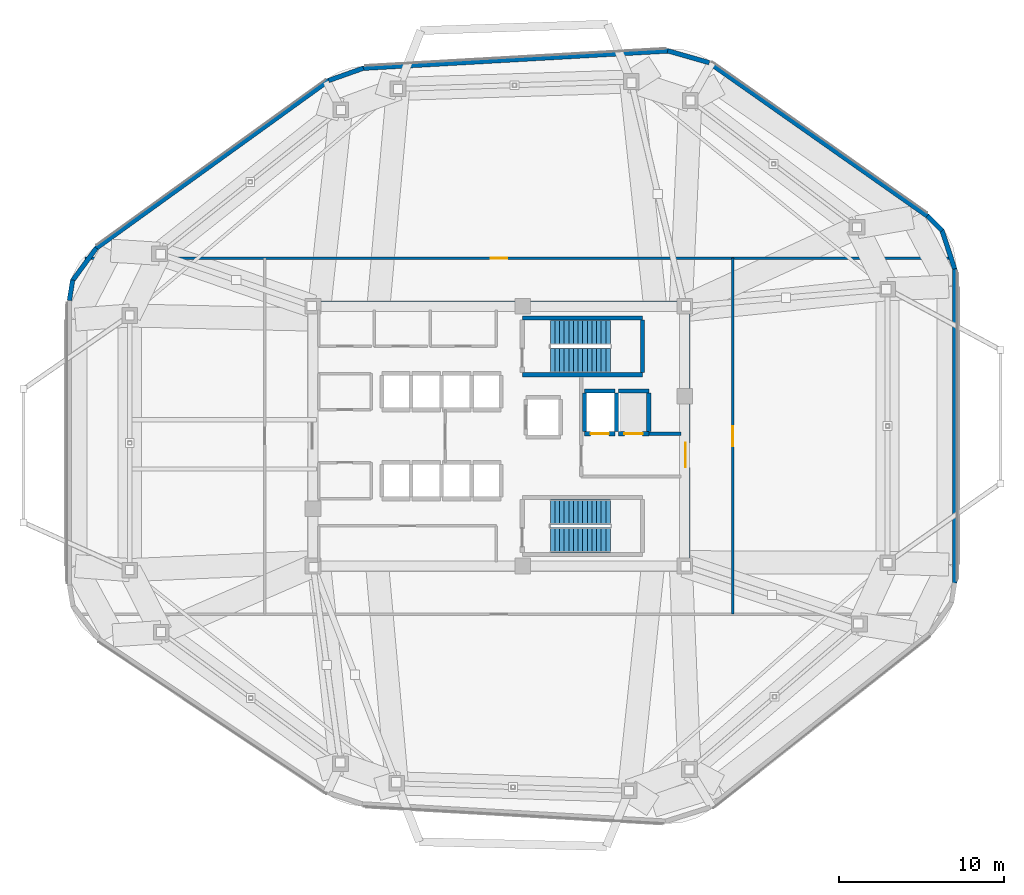
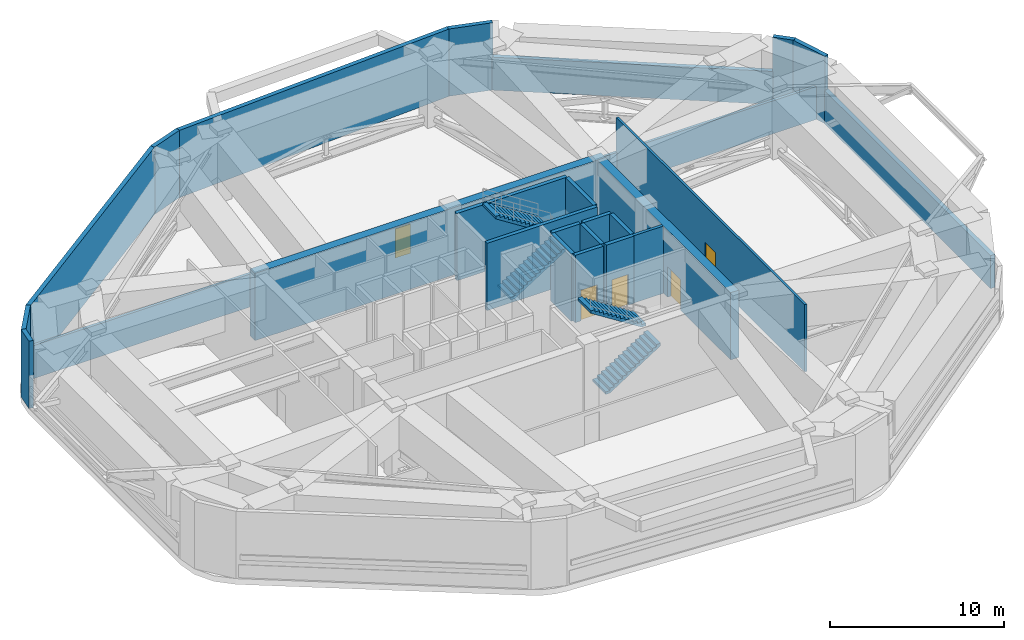
# One storey, part 9 of 13: 25 walls, 5 doors, 4 stair flights, 5 openings, 2 elements without a shape of their own.
"""IFC4 building model written with IfcOpenShell, lengths in metres."""

import ifcopenshell
import ifcopenshell.guid

model = None  # the IFC model being written
_history = None  # IfcOwnerHistory: only IFC2X3 demands one
_inside = {}  # id of a spatial element -> (the spatial element, [elements in it])
_under = {}  # id of a project, library or spatial element -> (it, [spatial elements below it])
_declared = {}  # id of a project -> (the project, [libraries it declares])
_typed = {}  # id of a type object -> (the type object, [elements of that type])
_made_of = {}  # id of a material, layer set ... -> (it, [elements and type objects made of it])


def new_model(schema):
    """Start an empty IFC model of exactly this schema.

    Asked for "IFC4X3", IfcOpenShell would pick the latest addendum, in which some entities
    have other attributes; the version numbers below select the first issue.
    IFC2X3 requires an IfcOwnerHistory on every rooted entity: one is made here for all.
    """
    global model, _history
    if schema == "IFC4X3":
        model = ifcopenshell.file(schema_version=(4, 3, 0, 0))
    else:
        model = ifcopenshell.file(schema=schema)
    _inside.clear()
    _under.clear()
    _declared.clear()
    _typed.clear()
    _made_of.clear()
    _history = None
    if model.schema == "IFC2X3":
        org = make("IfcOrganization", Name="unknown")
        user = make(
            "IfcPersonAndOrganization",
            ThePerson=make("IfcPerson", FamilyName="unknown"),
            TheOrganization=org,
        )
        app = make(
            "IfcApplication",
            ApplicationDeveloper=org,
            Version="unknown",
            ApplicationFullName="unknown",
            ApplicationIdentifier="unknown",
        )
        _history = make(
            "IfcOwnerHistory",
            OwningUser=user,
            OwningApplication=app,
            ChangeAction="ADDED",
            CreationDate=0,
        )
    return model


def make(cls, **values):
    """One entity of the class cls with the attributes given. An attribute that is None is left unset."""
    return model.create_entity(
        cls, **{name: value for name, value in values.items() if value is not None}
    )


def rooted(cls, **values):
    """An entity with a GlobalId (a new one), such as an element, a storey or a relation."""
    return make(cls, GlobalId=ifcopenshell.guid.new(), OwnerHistory=_history, **values)


def si_unit(unit_type, name, prefix=None):
    """IfcSIUnit, for example si_unit("LENGTHUNIT", "METRE", prefix="MILLI")."""
    return make("IfcSIUnit", UnitType=unit_type, Prefix=prefix, Name=name)


def assignment(units):
    """IfcUnitAssignment: the units of a project."""
    return None if units is None else make("IfcUnitAssignment", Units=units)


def point(xyz):
    """IfcCartesianPoint."""
    return None if xyz is None else make("IfcCartesianPoint", Coordinates=xyz)


def direction(xyz):
    """IfcDirection."""
    return None if xyz is None else make("IfcDirection", DirectionRatios=xyz)


def frame(location, z_axis=None, x_axis=None):
    """IfcAxis2Placement3D, a coordinate frame: its origin and axes. An axis left out is left unset."""
    return make(
        "IfcAxis2Placement3D",
        Location=point(location),
        Axis=direction(z_axis),
        RefDirection=direction(x_axis),
    )


def frame_2d(location, x_axis=None):
    """IfcAxis2Placement2D, a coordinate frame in the plane: its origin and x axis."""
    return make(
        "IfcAxis2Placement2D", Location=point(location), RefDirection=direction(x_axis)
    )


def origin():
    """The frame at (0, 0, 0) with its axes left unset."""
    return frame((0.0, 0.0, 0.0))


def place(relative_to, where):
    """IfcLocalPlacement: puts the frame where relative to a parent placement (None: the world)."""
    return make(
        "IfcLocalPlacement", PlacementRelTo=relative_to, RelativePlacement=where
    )


def context(
    kind, dimensions, precision=None, world=None, true_north=None, identifier=None
):
    """IfcGeometricRepresentationContext, for example the 3D "Model" context."""
    return make(
        "IfcGeometricRepresentationContext",
        ContextIdentifier=identifier,
        ContextType=kind,
        CoordinateSpaceDimension=dimensions,
        Precision=precision,
        WorldCoordinateSystem=world,
        TrueNorth=true_north,
    )


def subcontext(parent, identifier, kind, view, scale=None):
    """IfcGeometricRepresentationSubContext, for example "Body" below "Model"."""
    return make(
        "IfcGeometricRepresentationSubContext",
        ContextIdentifier=identifier,
        ContextType=kind,
        ParentContext=parent,
        TargetScale=scale,
        TargetView=view,
    )


def project(units=None, contexts=None):
    """IfcProject with its units and contexts."""
    return rooted(
        "IfcProject",
        Name="project",
        RepresentationContexts=contexts,
        UnitsInContext=assignment(units),
    )


def spatial(cls, under=None, at=None, **own):
    """A site, building, storey or space (cls), placed at a placement, below another one or the project."""
    s = rooted(cls, ObjectPlacement=at, **own)
    if under is not None:
        _under.setdefault(under.id(), (under, []))[1].append(s)
    return s


def polyline(points):
    """IfcPolyline through the points."""
    return make("IfcPolyline", Points=[point(p) for p in points])


def profile(cls, at=None, kind="AREA", **sizes):
    """A parametric profile (cls). Its sizes go by their IFC names, for example OverallWidth=200.0."""
    return make(cls, ProfileType=kind, Position=at, **sizes)


def rectangle(**sizes):
    """IfcRectangleProfileDef."""
    return profile("IfcRectangleProfileDef", **sizes)


def outline(outer, holes=None, kind="AREA"):
    """IfcArbitraryClosedProfileDef: a profile drawn as a closed curve; with holes, ...WithVoids."""
    if holes is None:
        return make("IfcArbitraryClosedProfileDef", ProfileType=kind, OuterCurve=outer)
    return make(
        "IfcArbitraryProfileDefWithVoids",
        ProfileType=kind,
        OuterCurve=outer,
        InnerCurves=holes,
    )


def extrude(swept, where, along, depth):
    """IfcExtrudedAreaSolid: the profile swept, set in the frame where, extruded along a direction by depth."""
    return make(
        "IfcExtrudedAreaSolid",
        SweptArea=swept,
        Position=where,
        ExtrudedDirection=direction(along),
        Depth=depth,
    )


def shape(context_of_items, identifier, shape_type, items):
    """IfcShapeRepresentation: the items that make up one representation, for example the "Body"."""
    return make(
        "IfcShapeRepresentation",
        ContextOfItems=context_of_items,
        RepresentationIdentifier=identifier,
        RepresentationType=shape_type,
        Items=items,
    )


def material(Name=None, Category=None):
    """IfcMaterial."""
    return make("IfcMaterial", Name=Name, Category=Category)


def layer(
    of_material, thickness, ventilated=None, Name=None, Category=None, Priority=None
):
    """IfcMaterialLayer: one layer of a wall or slab, of a material (None: an air gap)."""
    return make(
        "IfcMaterialLayer",
        Material=of_material,
        LayerThickness=thickness,
        IsVentilated=ventilated,
        Name=Name,
        Category=Category,
        Priority=Priority,
    )


def layer_set(layers, Name=None):
    """IfcMaterialLayerSet."""
    return make("IfcMaterialLayerSet", MaterialLayers=layers, LayerSetName=Name)


def made_of(thing, what):
    """Note that an element or type object is made of a material, layer set ...; save() writes the relation."""
    if what is not None:
        _made_of.setdefault(what.id(), (what, []))[1].append(thing)
    return thing


def type_object(cls, material=None, **own):
    """A type object (cls), such as IfcWallType, which elements share."""
    return made_of(rooted(cls, **own), material)


def element(
    cls,
    number,
    at=None,
    inside=None,
    cuts=None,
    type_object=None,
    material=None,
    context=None,
    identifier="Body",
    shape_type=None,
    held_by="IfcProductDefinitionShape",
    body=None,
    shapes=None,
    **own,
):
    """One element of the class cls, such as IfcWall. Its Tag is "e" and its number.

    at: its placement. inside: the storey or other place that contains it. cuts: it is an
    opening in that element (IfcRelVoidsElement). A single representation is given by context,
    identifier, shape_type and body (its items); several are given by shapes. held_by: the class
    of the entity that holds the representations. save() writes the other relations.
    """
    e = rooted(cls, Tag="e%d" % number, ObjectPlacement=at, **own)
    if body is not None:
        shapes = [shape(context, identifier, shape_type, body)]
    if shapes is not None:
        e.Representation = make(held_by, Representations=shapes)
    if inside is not None:
        _inside.setdefault(inside.id(), (inside, []))[1].append(e)
    if cuts is not None:
        rooted(
            "IfcRelVoidsElement", RelatingBuildingElement=cuts, RelatedOpeningElement=e
        )
    if type_object is not None:
        _typed.setdefault(type_object.id(), (type_object, []))[1].append(e)
    return made_of(e, material)


def fill(opening, filler):
    """IfcRelFillsElement: the door or window that sits in an opening."""
    return rooted(
        "IfcRelFillsElement",
        RelatingOpeningElement=opening,
        RelatedBuildingElement=filler,
    )


def aggregate(whole, parts):
    """IfcRelAggregates: a whole, such as a stair, and the parts it consists of."""
    return rooted("IfcRelAggregates", RelatingObject=whole, RelatedObjects=parts)


def save(model, path):
    """Write the relations noted so far, then the file.

    IfcRelAggregates (storeys below a building ...), IfcRelContainedInSpatialStructure (elements
    in a storey), IfcRelDefinesByType, IfcRelAssociatesMaterial and IfcRelDeclares: one each for
    every whole, place, type object, material and project.
    """
    for whole, parts in _under.values():
        aggregate(whole, parts)
    for where, things in _inside.values():
        rooted(
            "IfcRelContainedInSpatialStructure",
            RelatedElements=things,
            RelatingStructure=where,
        )
    for kind, things in _typed.values():
        rooted("IfcRelDefinesByType", RelatedObjects=things, RelatingType=kind)
    for what, things in _made_of.values():
        rooted("IfcRelAssociatesMaterial", RelatedObjects=things, RelatingMaterial=what)
    for by, libraries in _declared.values():
        rooted("IfcRelDeclares", RelatingContext=by, RelatedDefinitions=libraries)
    model.write(path)


model = new_model("IFC4")

# Units and contexts
model_context = context("Model", 3, precision=1e-05, world=origin(), true_north=direction((0.0, 1.0)))
body_context = subcontext(model_context, "Body", "Model", "MODEL_VIEW")
ifc_project = project(units=[si_unit("LENGTHUNIT", "METRE"), si_unit("AREAUNIT", "SQUARE_METRE"), si_unit("VOLUMEUNIT", "CUBIC_METRE"), si_unit("PLANEANGLEUNIT", "RADIAN"), si_unit("MASSUNIT", "GRAM", prefix="KILO")], contexts=[model_context])

# Site, building, storey
site_placement = place(None, origin())
site = spatial("IfcSite", under=ifc_project, at=site_placement, CompositionType="ELEMENT")
building_placement = place(site_placement, origin())
building = spatial("IfcBuilding", under=site, at=building_placement, Name="Zulverin Broadcast Headquarters", CompositionType="ELEMENT")
storey_placement = place(building_placement, frame((0.0, 0.0, 220.0)))
storey = spatial("IfcBuildingStorey", under=building, at=storey_placement, Name="L56", CompositionType="ELEMENT", Elevation=220.0)

# Wall
ifc_material_1 = material(Name="Concrete C60/75", Category="concrete")
ifc_layer_1 = layer(ifc_material_1, 0.550048828125, Name="Concrete C60/75", Category="concrete")
ifc_layer_set_1 = layer_set([ifc_layer_1], Name="Concrete C60/75")
wall_type_1 = type_object("IfcWallType", Name="WL-CORE-550", PredefinedType="SHEAR", material=ifc_layer_set_1)
wall_1_placement = place(storey_placement, frame((25.39990234375, 33.125, 0.0), z_axis=(0.0, 0.0, 1.0), x_axis=(1.0, 0.0, 0.0)))
element("IfcWall", 1, at=wall_1_placement, inside=storey, type_object=wall_type_1, Name="L56 Core North Shear Wall", PredefinedType="SHEAR", context=body_context, shape_type="SweptSolid", body=[
    extrude(rectangle(XDim=23.2001953125, YDim=0.550048828125, at=frame_2d((11.60009765625, 0.0))), origin(), (0.0, 0.0, 1.0), 4.7099609375),
])

# Wall, opening, door
wall_2_placement = place(storey_placement, frame((48.324951171875, 17.550048828125, 0.0), z_axis=(0.0, 0.0, 1.0), x_axis=(0.0, 1.0, 0.0)))
wall_2 = element("IfcWall", 2, at=wall_2_placement, inside=storey, type_object=wall_type_1, Name="L56 Core East Shear Wall", PredefinedType="SHEAR", context=body_context, shape_type="SweptSolid", body=[
    extrude(rectangle(XDim=15.300048828125, YDim=0.550048828125, at=frame_2d((7.64990234375, 0.0))), origin(), (0.0, 0.0, 1.0), 4.7099609375),
])
opening_1_placement = place(wall_2_placement, frame((5.75, 0.0, 0.0)))
opening_1 = element("IfcOpeningElement", 3, at=opening_1_placement, cuts=wall_2, Name="Opening D-L56-CE1", PredefinedType="OPENING", context=body_context, shape_type="SweptSolid", body=[
    extrude(rectangle(XDim=1.5, YDim=2.14990234375, at=frame_2d((0.75, 1.074951171875))), frame((0.0, 0.284912109375, 0.0), z_axis=(0.0, -1.0, 0.0), x_axis=(1.0, 0.0, 0.0)), (0.0, 0.0, 1.0), 0.570068359375),
])
ifc_material_2 = material(Name="Fire-rated glazed steel frame", Category="steel")
door_type_1 = type_object("IfcDoorType", Name="DR-COR-1500", OperationType="DOUBLE_DOOR_SINGLE_SWING", PredefinedType="DOOR", material=ifc_material_2)
door_1_placement = place(opening_1_placement, origin())
door_1 = element("IfcDoor", 4, at=door_1_placement, inside=storey, type_object=door_type_1, Name="L56 Firefighting Lobby East Corridor Door", OperationType="DOUBLE_DOOR_SINGLE_SWING", OverallHeight=2.14990234375, OverallWidth=1.5, PredefinedType="DOOR", context=body_context, shape_type="SweptSolid", body=[
    extrude(rectangle(XDim=1.5, YDim=2.14990234375, at=frame_2d((0.75, 1.074951171875))), frame((0.0, 0.02490234375, 0.0), z_axis=(0.0, -1.0, 0.0), x_axis=(1.0, 0.0, 0.0)), (0.0, 0.0, 1.0), 0.050048828125),
])
fill(opening_1, door_1)

# Walls
ifc_material_3 = material(Name="Insulated pale-metal clad concrete spandrel C40/50", Category="concrete")
ifc_layer_2 = layer(ifc_material_3, 0.280029296875, Name="Insulated pale-metal clad concrete spandrel C40/50", Category="concrete")
ifc_layer_set_2 = layer_set([ifc_layer_2], Name="Insulated pale-metal clad concrete spandrel C40/50")
wall_type_2 = type_object("IfcWallType", Name="WL-EXT-280", PredefinedType="STANDARD", material=ifc_layer_set_2)
wall_3_placement = place(storey_placement, frame((64.659912109375, 16.281005859375, 0.0), z_axis=(0.0, 0.0, 1.0), x_axis=(0.0, 1.0, 0.0)))
element("IfcWall", 5, at=wall_3_placement, inside=storey, type_object=wall_type_2, Name="L56 Pale-Metal Clad Spandrel Wall 3", PredefinedType="STANDARD", context=body_context, shape_type="SweptSolid", body=[
    extrude(rectangle(XDim=19.11279296875, YDim=0.280029296875, at=frame_2d((9.556396484375, 0.0))), origin(), (0.0, 0.0, 1.0), 2.31005859375),
])
wall_4_placement = place(storey_placement, frame((63.01904296875, 38.552001953125, 0.0), z_axis=(0.0, 0.0, 1.0), x_axis=(-0.818245985693, 0.574868251774, 0.0)))
element("IfcWall", 6, at=wall_4_placement, inside=storey, type_object=wall_type_2, Name="L56 Pale-Metal Clad Spandrel Wall 4", PredefinedType="STANDARD", context=body_context, shape_type="SweptSolid", body=[
    extrude(rectangle(XDim=16.23681640625, YDim=0.280029296875, at=frame_2d((8.118408203125, 0.0))), origin(), (0.0, 0.0, 1.0), 2.31005859375),
])
wall_5_placement = place(storey_placement, frame((47.29541015625, 48.581298828125, 0.0), z_axis=(0.0, 0.0, 1.0), x_axis=(-0.998388180282, -0.056754219867, 0.0)))
element("IfcWall", 7, at=wall_5_placement, inside=storey, type_object=wall_type_2, Name="L56 Pale-Metal Clad Spandrel Wall 5", PredefinedType="STANDARD", context=body_context, shape_type="SweptSolid", body=[
    extrude(rectangle(XDim=18.58349609375, YDim=0.280029296875, at=frame_2d((9.291748046875, 0.0))), origin(), (0.0, 0.0, 1.0), 4.7099609375),
])
wall_6_placement = place(storey_placement, frame((26.702880859375, 46.80322265625, 0.0), z_axis=(0.0, 0.0, 1.0), x_axis=(-0.811009447916, -0.585033054956, 0.0)))
element("IfcWall", 8, at=wall_6_placement, inside=storey, type_object=wall_type_2, Name="L56 Pale-Metal Clad Spandrel Wall 6", PredefinedType="STANDARD", context=body_context, shape_type="SweptSolid", body=[
    extrude(rectangle(XDim=17.461181640625, YDim=0.280029296875, at=frame_2d((8.73046875, 0.0))), origin(), (0.0, 0.0, 1.0), 4.7099609375),
])
wall_7_placement = place(storey_placement, frame((64.6669921875, 35.349609375, 0.0), z_axis=(0.0, 0.0, 1.0), x_axis=(-0.313953102685, 0.949438491591, 0.0)))
element("IfcWall", 9, at=wall_7_placement, inside=storey, type_object=wall_type_2, Name="L56 Wind-Shaped Corner Spandrel Wall 3-1", PredefinedType="STANDARD", context=body_context, shape_type="SweptSolid", body=[
    extrude(rectangle(XDim=2.512451171875, YDim=0.280029296875, at=frame_2d((1.25634765625, 0.0))), origin(), (0.0, 0.0, 1.0), 4.7099609375),
])
wall_8_placement = place(storey_placement, frame((63.913330078125, 37.6787109375, 0.0), z_axis=(0.0, 0.0, 1.0), x_axis=(-0.716445950439, 0.697642601981, 0.0)))
element("IfcWall", 10, at=wall_8_placement, inside=storey, type_object=wall_type_2, Name="L56 Wind-Shaped Corner Spandrel Wall 3-2", PredefinedType="STANDARD", context=body_context, shape_type="SweptSolid", body=[
    extrude(rectangle(XDim=1.2724609375, YDim=0.280029296875, at=frame_2d((0.63623046875, 0.0))), origin(), (0.0, 0.0, 1.0), 4.7099609375),
])
wall_9_placement = place(storey_placement, frame((49.775634765625, 47.865966796875, 0.0), z_axis=(0.0, 0.0, 1.0), x_axis=(-0.96166758475, 0.274217899565, 0.0)))
element("IfcWall", 11, at=wall_9_placement, inside=storey, type_object=wall_type_2, Name="L56 Wind-Shaped Corner Spandrel Wall 4-1", PredefinedType="STANDARD", context=body_context, shape_type="SweptSolid", body=[
    extrude(rectangle(XDim=2.62744140625, YDim=0.280029296875, at=frame_2d((1.313720703125, 0.0))), origin(), (0.0, 0.0, 1.0), 4.7099609375),
])
wall_10_placement = place(storey_placement, frame((28.78076171875, 47.534423828125, 0.0), z_axis=(0.0, 0.0, 1.0), x_axis=(-0.94246648564, -0.334300648286, 0.0)))
element("IfcWall", 12, at=wall_10_placement, inside=storey, type_object=wall_type_2, Name="L56 Wind-Shaped Corner Spandrel Wall 5-1", PredefinedType="STANDARD", context=body_context, shape_type="SweptSolid", body=[
    extrude(rectangle(XDim=2.241943359375, YDim=0.280029296875, at=frame_2d((1.12109375, 0.0))), origin(), (0.0, 0.0, 1.0), 4.7099609375),
])
wall_11_placement = place(storey_placement, frame((12.572998046875, 36.618896484375, 0.0), z_axis=(0.0, 0.0, 1.0), x_axis=(-0.589604441083, -0.807692146214, 0.0)))
element("IfcWall", 13, at=wall_11_placement, inside=storey, type_object=wall_type_2, Name="L56 Wind-Shaped Corner Spandrel Wall 6-1", PredefinedType="STANDARD", context=body_context, shape_type="SweptSolid", body=[
    extrude(rectangle(XDim=2.480712890625, YDim=0.280029296875, at=frame_2d((1.240234375, 0.0))), origin(), (0.0, 0.0, 1.0), 4.7099609375),
])
wall_12_placement = place(storey_placement, frame((11.135498046875, 34.67578125, 0.0), z_axis=(0.0, 0.0, 1.0), x_axis=(-0.157050421819, -0.987590585722, 0.0)))
element("IfcWall", 14, at=wall_12_placement, inside=storey, type_object=wall_type_2, Name="L56 Wind-Shaped Corner Spandrel Wall 6-2", PredefinedType="STANDARD", context=body_context, shape_type="SweptSolid", body=[
    extrude(rectangle(XDim=1.256103515625, YDim=0.280029296875, at=frame_2d((0.6279296875, 0.0))), origin(), (0.0, 0.0, 1.0), 4.7099609375),
])
ifc_material_4 = material(Name="Concrete C40/50", Category="concrete")
ifc_layer_3 = layer(ifc_material_4, 0.199951171875, Name="Concrete C40/50", Category="concrete")
ifc_layer_set_3 = layer_set([ifc_layer_3], Name="Concrete C40/50")
wall_type_3 = type_object("IfcWallType", Name="WL-FFL-200", PredefinedType="SOLIDWALL", material=ifc_layer_set_3)
wall_13_placement = place(storey_placement, frame((46.10009765625, 25.35009765625, 0.0), z_axis=(0.0, 0.0, 1.0), x_axis=(1.0, 0.0, 0.0)))
element("IfcWall", 15, at=wall_13_placement, inside=storey, type_object=wall_type_3, Name="L56 Firefighting Lift Lobby North Wall", PredefinedType="SOLIDWALL", context=body_context, shape_type="SweptSolid", body=[
    extrude(rectangle(XDim=1.949951171875, YDim=0.199951171875, at=frame_2d((0.97509765625, 0.0))), origin(), (0.0, 0.0, 1.0), 4.7099609375),
])

# Wall, opening, door
ifc_material_5 = material(Name="Fire-rated gypsum stud partition", Category="gypsum")
ifc_layer_4 = layer(ifc_material_5, 0.14990234375, Name="Fire-rated gypsum stud partition", Category="gypsum")
ifc_layer_set_4 = layer_set([ifc_layer_4], Name="Fire-rated gypsum stud partition")
wall_type_4 = type_object("IfcWallType", Name="WL-PART-150", PredefinedType="PARTITIONING", material=ifc_layer_set_4)
wall_14_placement = place(storey_placement, frame((51.199951171875, 14.39990234375, 0.0), z_axis=(0.0, 0.0, 1.0), x_axis=(0.0, 1.0, 0.0)))
wall_14 = element("IfcWall", 16, at=wall_14_placement, inside=storey, type_object=wall_type_4, Name="L56 Gallery Partition Wall CG-01", PredefinedType="PARTITIONING", context=body_context, shape_type="SweptSolid", body=[
    extrude(rectangle(XDim=21.60009765625, YDim=0.14990234375, at=frame_2d((10.800048828125, 0.0))), origin(), (0.0, 0.0, 1.0), 4.7099609375),
])
opening_2_placement = place(wall_14_placement, frame((10.199951171875, 0.0, 0.0)))
opening_2 = element("IfcOpeningElement", 17, at=opening_2_placement, cuts=wall_14, Name="Opening D-L56-REF", PredefinedType="OPENING", context=body_context, shape_type="SweptSolid", body=[
    extrude(rectangle(XDim=1.199951171875, YDim=2.14990234375, at=frame_2d((0.60009765625, 1.074951171875))), frame((0.0, 0.0849609375, 0.0), z_axis=(0.0, -1.0, 0.0), x_axis=(1.0, 0.0, 0.0)), (0.0, 0.0, 1.0), 0.169921875),
])
ifc_material_6 = material(Name="Fire-rated steel leaf and frame", Category="steel")
door_type_2 = type_object("IfcDoorType", Name="DR-FFL-1200", OperationType="SINGLE_SWING_RIGHT", PredefinedType="DOOR", material=ifc_material_6)
door_2_placement = place(opening_2_placement, origin())
door_2 = element("IfcDoor", 18, at=door_2_placement, inside=storey, type_object=door_type_2, Name="L56 Designated Fire Refuge Area Door", OperationType="SINGLE_SWING_RIGHT", OverallHeight=2.14990234375, OverallWidth=1.199951171875, PredefinedType="DOOR", context=body_context, shape_type="SweptSolid", body=[
    extrude(rectangle(XDim=1.199951171875, YDim=2.14990234375, at=frame_2d((0.60009765625, 1.074951171875))), frame((0.0, 0.02490234375, 0.0), z_axis=(0.0, -1.0, 0.0), x_axis=(1.0, 0.0, 0.0)), (0.0, 0.0, 1.0), 0.050048828125),
])
fill(opening_2, door_2)

ifc_material_7 = material(Name="Fire-rated acoustic stud wall", Category="gypsum")
ifc_layer_5 = layer(ifc_material_7, 0.175048828125, Name="Fire-rated acoustic stud wall", Category="gypsum")
ifc_layer_set_5 = layer_set([ifc_layer_5], Name="Fire-rated acoustic stud wall")
wall_type_5 = type_object("IfcWallType", Name="WL-PART-175", PredefinedType="PARTITIONING", material=ifc_layer_set_5)
wall_15_placement = place(storey_placement, frame((11.89453125, 36.0, 0.0), z_axis=(0.0, 0.0, 1.0), x_axis=(1.0, 0.0, 0.0)))
wall_15 = element("IfcWall", 19, at=wall_15_placement, inside=storey, type_object=wall_type_5, Name="L56 Gallery Partition Wall CG-04", PredefinedType="PARTITIONING", context=body_context, shape_type="SweptSolid", body=[
    extrude(rectangle(XDim=52.602783203125, YDim=0.175048828125, at=frame_2d((26.30126953125, 0.0))), origin(), (0.0, 0.0, 1.0), 2.31005859375),
])
opening_3_placement = place(wall_15_placement, frame((24.60546875, 0.0, 0.0)))
opening_3 = element("IfcOpeningElement", 20, at=opening_3_placement, cuts=wall_15, Name="Opening D-L56-AHU", PredefinedType="OPENING", context=body_context, shape_type="SweptSolid", body=[
    extrude(rectangle(XDim=1.0, YDim=2.0400390625, at=frame_2d((0.5, 1.02001953125))), frame((0.0, 0.097412109375, 0.0), z_axis=(0.0, -1.0, 0.0), x_axis=(1.0, 0.0, 0.0)), (0.0, 0.0, 1.0), 0.195068359375),
])
ifc_material_8 = material(Name="Fire-rated steel plant room leaf", Category="steel")
door_type_3 = type_object("IfcDoorType", Name="DR-PLT-2040", OperationType="SINGLE_SWING_LEFT", PredefinedType="DOOR", material=ifc_material_8)
door_3_placement = place(opening_3_placement, origin())
door_3 = element("IfcDoor", 21, at=door_3_placement, inside=storey, type_object=door_type_3, Name="L56 Air Handling & Smoke Control Plant Room Door", OperationType="SINGLE_SWING_LEFT", OverallHeight=2.0400390625, OverallWidth=1.0, PredefinedType="DOOR", context=body_context, shape_type="SweptSolid", body=[
    extrude(rectangle(XDim=1.0, YDim=2.0400390625, at=frame_2d((0.5, 1.02001953125))), frame((0.0, 0.02490234375, 0.0), z_axis=(0.0, -1.0, 0.0), x_axis=(1.0, 0.0, 0.0)), (0.0, 0.0, 1.0), 0.050048828125),
])
fill(opening_3, door_3)

# Walls
ifc_material_9 = material(Name="Concrete C50/60", Category="concrete")
ifc_layer_6 = layer(ifc_material_9, 0.25, Name="Concrete C50/60", Category="concrete")
ifc_layer_set_6 = layer_set([ifc_layer_6], Name="Concrete C50/60")
wall_type_6 = type_object("IfcWallType", Name="WL-SHAFT-250", PredefinedType="SHEAR", material=ifc_layer_set_6)
for number, where, z_axis, x_axis, name in (
    (22, (38.425048828125, 28.925048828125, 0.0), (0.0, 0.0, 1.0), (1.0, 0.0, 0.0), "L56 ST-1 Enclosure Wall S"),
    (23, (38.425048828125, 32.375, 0.0), (0.0, 0.0, 1.0), (1.0, 0.0, 0.0), "L56 ST-1 Enclosure Wall N"),
):
    element("IfcWall", number, at=place(storey_placement, frame(where, z_axis=z_axis, x_axis=x_axis)), inside=storey, type_object=wall_type_6, Name=name, PredefinedType="SHEAR", context=body_context, shape_type="SweptSolid", body=[
        extrude(rectangle(XDim=7.300048828125, YDim=0.25, at=frame_2d((3.64990234375, 0.0))), origin(), (0.0, 0.0, 1.0), 4.7099609375),
    ])
wall_16_placement = place(storey_placement, frame((45.72509765625, 29.050048828125, 0.0), z_axis=(0.0, 0.0, 1.0), x_axis=(0.0, 1.0, 0.0)))
element("IfcWall", 24, at=wall_16_placement, inside=storey, type_object=wall_type_6, Name="L56 ST-1 Enclosure Wall E", PredefinedType="SHEAR", context=body_context, shape_type="SweptSolid", body=[
    extrude(rectangle(XDim=3.199951171875, YDim=0.25, at=frame_2d((1.60009765625, 0.0))), origin(), (0.0, 0.0, 1.0), 4.7099609375),
])

# Wall, opening, door
wall_17_placement = place(storey_placement, frame((42.199951171875, 25.35009765625, 0.0), z_axis=(0.0, 0.0, 1.0), x_axis=(1.0, 0.0, 0.0)))
wall_17 = element("IfcWall", 25, at=wall_17_placement, inside=storey, type_object=wall_type_6, Name="L56 Lift FFL-1 Shaft Wall S", PredefinedType="SHEAR", context=body_context, shape_type="SweptSolid", body=[
    extrude(rectangle(XDim=1.85009765625, YDim=0.25, at=frame_2d((0.925048828125, 0.0))), origin(), (0.0, 0.0, 1.0), 4.7099609375),
])
opening_4_placement = place(wall_17_placement, frame((0.375, 0.0, 0.0)))
opening_4 = element("IfcOpeningElement", 26, at=opening_4_placement, cuts=wall_17, Name="Opening LD-FFL-1-L56", PredefinedType="OPENING", context=body_context, shape_type="SweptSolid", body=[
    extrude(rectangle(XDim=1.10009765625, YDim=2.14990234375, at=frame_2d((0.550048828125, 1.074951171875))), frame((0.0, 0.135009765625, 0.0), z_axis=(0.0, -1.0, 0.0), x_axis=(1.0, 0.0, 0.0)), (0.0, 0.0, 1.0), 0.27001953125),
])
ifc_material_10 = material(Name="Fire-rated stainless landing door", Category="steel")
door_type_4 = type_object("IfcDoorType", Name="LD-FFL-1100", OperationType="DOUBLE_DOOR_SLIDING", PredefinedType="DOOR", material=ifc_material_10)
door_4_placement = place(opening_4_placement, origin())
door_4 = element("IfcDoor", 27, at=door_4_placement, inside=storey, type_object=door_type_4, Name="L56 Lift FFL-1 Sliding Landing Door", OperationType="DOUBLE_DOOR_SLIDING", OverallHeight=2.14990234375, OverallWidth=1.10009765625, PredefinedType="DOOR", context=body_context, shape_type="SweptSolid", body=[
    extrude(rectangle(XDim=1.10009765625, YDim=2.14990234375, at=frame_2d((0.550048828125, 1.074951171875))), frame((0.0, 0.02490234375, 0.0), z_axis=(0.0, -1.0, 0.0), x_axis=(1.0, 0.0, 0.0)), (0.0, 0.0, 1.0), 0.050048828125),
])
fill(opening_4, door_4)

# Walls
wall_18_placement = place(storey_placement, frame((42.199951171875, 27.949951171875, 0.0), z_axis=(0.0, 0.0, 1.0), x_axis=(1.0, 0.0, 0.0)))
element("IfcWall", 28, at=wall_18_placement, inside=storey, type_object=wall_type_6, Name="L56 Lift FFL-1 Shaft Wall N", PredefinedType="SHEAR", context=body_context, shape_type="SweptSolid", body=[
    extrude(rectangle(XDim=1.85009765625, YDim=0.25, at=frame_2d((0.925048828125, 0.0))), origin(), (0.0, 0.0, 1.0), 4.7099609375),
])
for number, where, z_axis, x_axis, name in (
    (29, (42.199951171875, 25.469970703125, 0.0), (0.0, 0.0, 1.0), (0.0, 1.0, 0.0), "L56 Lift FFL-1 Shaft Wall W"),
    (30, (44.14990234375, 25.469970703125, 0.0), (0.0, 0.0, 1.0), (0.0, 1.0, 0.0), "L56 Lift FFL-1 Shaft Wall E"),
):
    element("IfcWall", number, at=place(storey_placement, frame(where, z_axis=z_axis, x_axis=x_axis)), inside=storey, type_object=wall_type_6, Name=name, PredefinedType="SHEAR", context=body_context, shape_type="SweptSolid", body=[
        extrude(rectangle(XDim=2.360107421875, YDim=0.25, at=frame_2d((1.18017578125, 0.0))), origin(), (0.0, 0.0, 1.0), 4.7099609375),
    ])

# Wall, opening, door
wall_19_placement = place(storey_placement, frame((44.25, 25.35009765625, 0.0), z_axis=(0.0, 0.0, 1.0), x_axis=(1.0, 0.0, 0.0)))
wall_19 = element("IfcWall", 31, at=wall_19_placement, inside=storey, type_object=wall_type_6, Name="L56 Lift FFL-2 Shaft Wall S", PredefinedType="SHEAR", context=body_context, shape_type="SweptSolid", body=[
    extrude(rectangle(XDim=1.85009765625, YDim=0.25, at=frame_2d((0.925048828125, 0.0))), origin(), (0.0, 0.0, 1.0), 4.7099609375),
])
opening_5_placement = place(wall_19_placement, frame((0.375, 0.0, 0.0)))
opening_5 = element("IfcOpeningElement", 32, at=opening_5_placement, cuts=wall_19, Name="Opening LD-FFL-2-L56", PredefinedType="OPENING", context=body_context, shape_type="SweptSolid", body=[
    extrude(rectangle(XDim=1.10009765625, YDim=2.14990234375, at=frame_2d((0.550048828125, 1.074951171875))), frame((0.0, 0.135009765625, 0.0), z_axis=(0.0, -1.0, 0.0), x_axis=(1.0, 0.0, 0.0)), (0.0, 0.0, 1.0), 0.27001953125),
])
door_5_placement = place(opening_5_placement, origin())
door_5 = element("IfcDoor", 33, at=door_5_placement, inside=storey, type_object=door_type_4, Name="L56 Lift FFL-2 Sliding Landing Door", OperationType="DOUBLE_DOOR_SLIDING", OverallHeight=2.14990234375, OverallWidth=1.10009765625, PredefinedType="DOOR", context=body_context, shape_type="SweptSolid", body=[
    extrude(rectangle(XDim=1.10009765625, YDim=2.14990234375, at=frame_2d((0.550048828125, 1.074951171875))), frame((0.0, 0.02490234375, 0.0), z_axis=(0.0, -1.0, 0.0), x_axis=(1.0, 0.0, 0.0)), (0.0, 0.0, 1.0), 0.050048828125),
])
fill(opening_5, door_5)

# Walls
wall_20_placement = place(storey_placement, frame((44.25, 27.949951171875, 0.0), z_axis=(0.0, 0.0, 1.0), x_axis=(1.0, 0.0, 0.0)))
element("IfcWall", 34, at=wall_20_placement, inside=storey, type_object=wall_type_6, Name="L56 Lift FFL-2 Shaft Wall N", PredefinedType="SHEAR", context=body_context, shape_type="SweptSolid", body=[
    extrude(rectangle(XDim=1.85009765625, YDim=0.25, at=frame_2d((0.925048828125, 0.0))), origin(), (0.0, 0.0, 1.0), 4.7099609375),
])
wall_21_placement = place(storey_placement, frame((46.10009765625, 25.469970703125, 0.0), z_axis=(0.0, 0.0, 1.0), x_axis=(0.0, 1.0, 0.0)))
element("IfcWall", 35, at=wall_21_placement, inside=storey, type_object=wall_type_6, Name="L56 Lift FFL-2 Shaft Wall E", PredefinedType="SHEAR", context=body_context, shape_type="SweptSolid", body=[
    extrude(rectangle(XDim=2.360107421875, YDim=0.25, at=frame_2d((1.18017578125, 0.0))), origin(), (0.0, 0.0, 1.0), 4.7099609375),
])

# Stair, stair flights
stair_type = type_object("IfcStairType", Name="ST-CORE-1500", PredefinedType="HALF_TURN_STAIR", material=ifc_material_4)
stair_1_placement = place(storey_placement, origin())
stair_1 = element("IfcStair", 36, at=stair_1_placement, inside=storey, type_object=stair_type, Name="L56 Core Exit Stair ST-1", PredefinedType="HALF_TURN_STAIR")
stair_flight_type = type_object("IfcStairFlightType", Name="SF-CORE-1500", PredefinedType="STRAIGHT", material=ifc_material_4)
stair_flight_1_placement = place(storey_placement, frame((40.1298828125, 29.800048828125, 0.0), z_axis=(0.0, 0.0, 1.0), x_axis=(1.0, 0.0, 0.0)))
stair_flight_1 = element("IfcStairFlight", 37, at=stair_flight_1_placement, type_object=stair_flight_type, Name="ST-1 flight 1", NumberOfRisers=14, NumberOfTreads=13, PredefinedType="STRAIGHT", RiserHeight=0.178571429, TreadLength=0.28, context=body_context, shape_type="SweptSolid", body=[
    extrude(outline(polyline([(0.0, 0.0), (0.0, 0.178466796875), (0.280029296875, 0.178466796875), (0.280029296875, 0.357177734375), (0.56005859375, 0.357177734375), (0.56005859375, 0.53564453125), (0.840087890625, 0.53564453125), (0.840087890625, 0.71435546875), (1.1201171875, 0.71435546875), (1.1201171875, 0.892822265625), (1.39990234375, 0.892822265625), (1.39990234375, 1.071533203125), (1.679931640625, 1.071533203125), (1.679931640625, 1.25), (1.9599609375, 1.25), (1.9599609375, 1.428466796875), (2.239990234375, 1.428466796875), (2.239990234375, 1.607177734375), (2.52001953125, 1.607177734375), (2.52001953125, 1.78564453125), (2.800048828125, 1.78564453125), (2.800048828125, 1.96435546875), (3.080078125, 1.96435546875), (3.080078125, 2.142822265625), (3.360107421875, 2.142822265625), (3.360107421875, 2.321533203125), (3.639892578125, 2.321533203125), (3.639892578125, 2.5), (3.639892578125, 2.1435546875), (0.27880859375, 0.0), (0.0, 0.0)])), frame((0.0, 0.75, 0.0), z_axis=(0.0, -1.0, 0.0), x_axis=(1.0, 0.0, 0.0)), (0.0, 0.0, 1.0), 1.5),
])
stair_flight_2_placement = place(storey_placement, frame((43.77001953125, 31.5, 2.5), z_axis=(0.0, 0.0, 1.0), x_axis=(-1.0, 0.0, 0.0)))
stair_flight_2 = element("IfcStairFlight", 38, at=stair_flight_2_placement, type_object=stair_flight_type, Name="ST-1 flight 2", NumberOfRisers=14, NumberOfTreads=13, PredefinedType="STRAIGHT", RiserHeight=0.178571429, TreadLength=0.28, context=body_context, shape_type="SweptSolid", body=[
    extrude(outline(polyline([(0.0, 0.0), (0.0, 0.178466796875), (0.280029296875, 0.178466796875), (0.280029296875, 0.357177734375), (0.56005859375, 0.357177734375), (0.56005859375, 0.53564453125), (0.840087890625, 0.53564453125), (0.840087890625, 0.71435546875), (1.1201171875, 0.71435546875), (1.1201171875, 0.892822265625), (1.39990234375, 0.892822265625), (1.39990234375, 1.071533203125), (1.679931640625, 1.071533203125), (1.679931640625, 1.25), (1.9599609375, 1.25), (1.9599609375, 1.428466796875), (2.239990234375, 1.428466796875), (2.239990234375, 1.607177734375), (2.52001953125, 1.607177734375), (2.52001953125, 1.78564453125), (2.800048828125, 1.78564453125), (2.800048828125, 1.96435546875), (3.080078125, 1.96435546875), (3.080078125, 2.142822265625), (3.360107421875, 2.142822265625), (3.360107421875, 2.321533203125), (3.639892578125, 2.321533203125), (3.639892578125, 2.5), (3.639892578125, 2.1435546875), (0.27880859375, 0.0), (0.0, 0.0)])), frame((0.0, 0.75, 0.0), z_axis=(0.0, -1.0, 0.0), x_axis=(1.0, 0.0, 0.0)), (0.0, 0.0, 1.0), 1.5),
])
aggregate(stair_1, [stair_flight_1, stair_flight_2])

stair_2_placement = place(storey_placement, origin())
stair_2 = element("IfcStair", 39, at=stair_2_placement, inside=storey, type_object=stair_type, Name="L56 Core Exit Stair ST-2", PredefinedType="HALF_TURN_STAIR")
stair_flight_3_placement = place(storey_placement, frame((40.1298828125, 18.89990234375, 0.0), z_axis=(0.0, 0.0, 1.0), x_axis=(1.0, 0.0, 0.0)))
stair_flight_3 = element("IfcStairFlight", 40, at=stair_flight_3_placement, type_object=stair_flight_type, Name="ST-2 flight 1", NumberOfRisers=14, NumberOfTreads=13, PredefinedType="STRAIGHT", RiserHeight=0.178571429, TreadLength=0.28, context=body_context, shape_type="SweptSolid", body=[
    extrude(outline(polyline([(0.0, 0.0), (0.0, 0.178466796875), (0.280029296875, 0.178466796875), (0.280029296875, 0.357177734375), (0.56005859375, 0.357177734375), (0.56005859375, 0.53564453125), (0.840087890625, 0.53564453125), (0.840087890625, 0.71435546875), (1.1201171875, 0.71435546875), (1.1201171875, 0.892822265625), (1.39990234375, 0.892822265625), (1.39990234375, 1.071533203125), (1.679931640625, 1.071533203125), (1.679931640625, 1.25), (1.9599609375, 1.25), (1.9599609375, 1.428466796875), (2.239990234375, 1.428466796875), (2.239990234375, 1.607177734375), (2.52001953125, 1.607177734375), (2.52001953125, 1.78564453125), (2.800048828125, 1.78564453125), (2.800048828125, 1.96435546875), (3.080078125, 1.96435546875), (3.080078125, 2.142822265625), (3.360107421875, 2.142822265625), (3.360107421875, 2.321533203125), (3.639892578125, 2.321533203125), (3.639892578125, 2.5), (3.639892578125, 2.1435546875), (0.27880859375, 0.0), (0.0, 0.0)])), frame((0.0, 0.75, 0.0), z_axis=(0.0, -1.0, 0.0), x_axis=(1.0, 0.0, 0.0)), (0.0, 0.0, 1.0), 1.5),
])
stair_flight_4_placement = place(storey_placement, frame((43.77001953125, 20.60009765625, 2.5), z_axis=(0.0, 0.0, 1.0), x_axis=(-1.0, 0.0, 0.0)))
stair_flight_4 = element("IfcStairFlight", 41, at=stair_flight_4_placement, type_object=stair_flight_type, Name="ST-2 flight 2", NumberOfRisers=14, NumberOfTreads=13, PredefinedType="STRAIGHT", RiserHeight=0.178571429, TreadLength=0.28, context=body_context, shape_type="SweptSolid", body=[
    extrude(outline(polyline([(0.0, 0.0), (0.0, 0.178466796875), (0.280029296875, 0.178466796875), (0.280029296875, 0.357177734375), (0.56005859375, 0.357177734375), (0.56005859375, 0.53564453125), (0.840087890625, 0.53564453125), (0.840087890625, 0.71435546875), (1.1201171875, 0.71435546875), (1.1201171875, 0.892822265625), (1.39990234375, 0.892822265625), (1.39990234375, 1.071533203125), (1.679931640625, 1.071533203125), (1.679931640625, 1.25), (1.9599609375, 1.25), (1.9599609375, 1.428466796875), (2.239990234375, 1.428466796875), (2.239990234375, 1.607177734375), (2.52001953125, 1.607177734375), (2.52001953125, 1.78564453125), (2.800048828125, 1.78564453125), (2.800048828125, 1.96435546875), (3.080078125, 1.96435546875), (3.080078125, 2.142822265625), (3.360107421875, 2.142822265625), (3.360107421875, 2.321533203125), (3.639892578125, 2.321533203125), (3.639892578125, 2.5), (3.639892578125, 2.1435546875), (0.27880859375, 0.0), (0.0, 0.0)])), frame((0.0, 0.75, 0.0), z_axis=(0.0, -1.0, 0.0), x_axis=(1.0, 0.0, 0.0)), (0.0, 0.0, 1.0), 1.5),
])
aggregate(stair_2, [stair_flight_3, stair_flight_4])

save(model, "model.ifc")
